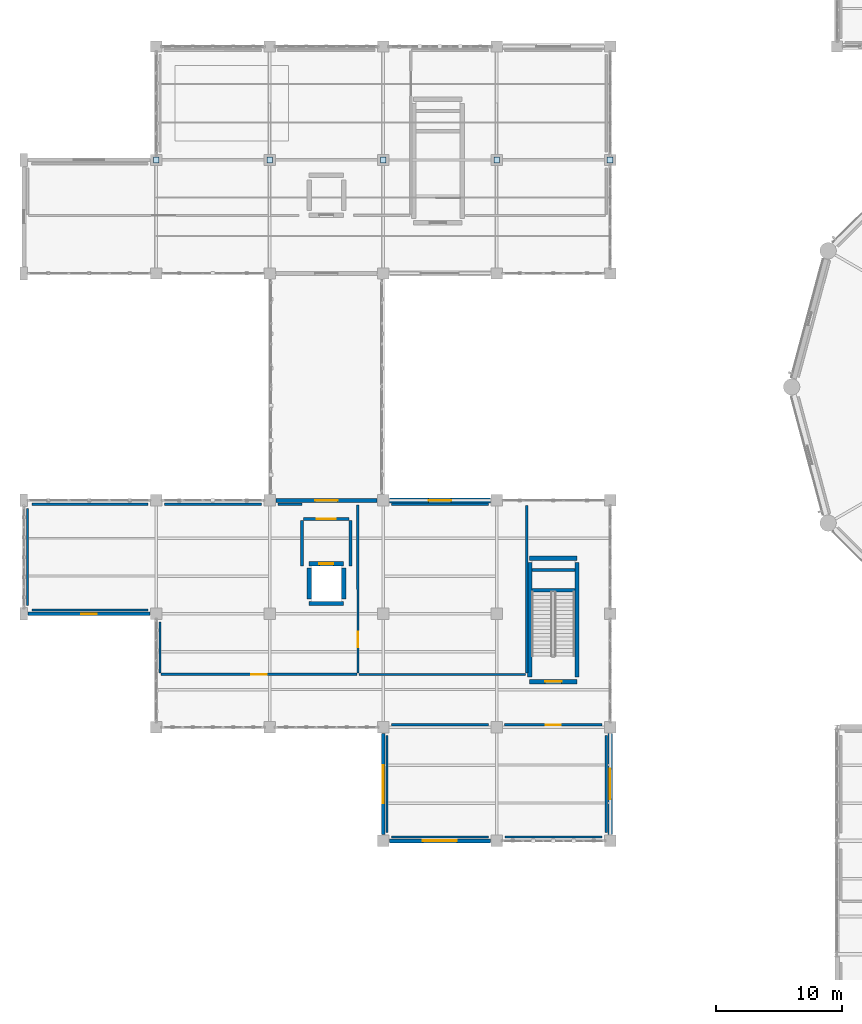
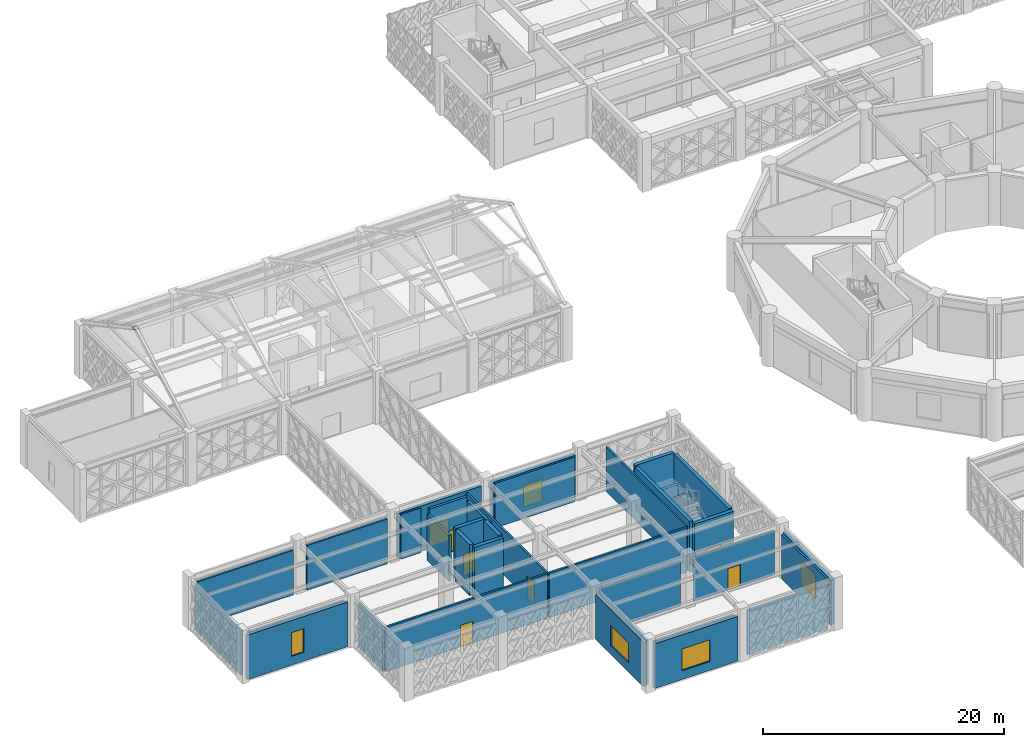
# One storey, part 139 of 166: 36 walls, 7 doors, 5 plates, 5 windows, 12 openings.
"""IFC4 building model written with IfcOpenShell, lengths in metres."""

from ifc_helpers import new_model, si_unit, direction, frame, frame_2d, origin, origin_2d, place, context, subcontext, project, spatial, rectangle, extrude, material, layer, layer_set, type_object, element, fill, save


model = new_model("IFC4")

# Units and contexts
model_context = context("Model", 3, precision=1e-05, world=origin(), true_north=direction((0.0, 1.0)))
body_context = subcontext(model_context, "Body", "Model", "MODEL_VIEW")
ifc_project = project(units=[si_unit("LENGTHUNIT", "METRE"), si_unit("AREAUNIT", "SQUARE_METRE"), si_unit("VOLUMEUNIT", "CUBIC_METRE"), si_unit("PLANEANGLEUNIT", "RADIAN"), si_unit("MASSUNIT", "GRAM", prefix="KILO")], contexts=[model_context])

# Site, building, storey
site_placement = place(None, origin())
site = spatial("IfcSite", under=ifc_project, at=site_placement, CompositionType="ELEMENT")
building_placement = place(site_placement, origin())
building = spatial("IfcBuilding", under=site, at=building_placement, Name="Haizhuo Lancet Aquarium", CompositionType="ELEMENT")
storey_placement = place(building_placement, frame((0.0, 0.0, 5.39990234375)))
storey = spatial("IfcBuildingStorey", under=building, at=storey_placement, Name="L01", CompositionType="ELEMENT", Elevation=5.39990234375)

# Plates
ifc_material_1 = material(Name="Steel S355", Category="steel")
ifc_layer_1 = layer(ifc_material_1, 0.01611328125)
ifc_layer_set_1 = layer_set([ifc_layer_1], Name="Steel S355")
plate_type_1 = type_object("IfcPlateType", Name="PLT-COV-16", PredefinedType="USERDEFINED", material=ifc_layer_set_1)
for number, where, z_axis, x_axis, name in (
    (1, (-63.0, 18.0, 10.2080078125), (0.0, 0.0, 1.0), (1.0, 0.0, 0.0), "V2 apex gusset connection plate 2"),
    (2, (-45.0, 18.0, 10.2080078125), (0.0, 0.0, 1.0), (1.0, 0.0, 0.0), "V2 apex gusset connection plate 4"),
):
    element("IfcPlate", number, at=place(storey_placement, frame(where, z_axis=z_axis, x_axis=x_axis)), inside=storey, type_object=plate_type_1, Name=name, ObjectType="COVER_PLATE", PredefinedType="USERDEFINED", context=body_context, shape_type="SweptSolid", body=[
        extrude(rectangle(XDim=0.449951171875, YDim=0.449951171875, at=origin_2d()), origin(), (0.0, 0.0, 1.0), 0.01611328125),
    ])
ifc_layer_2 = layer(ifc_material_1, 0.02001953125)
ifc_layer_set_2 = layer_set([ifc_layer_2], Name="Steel S355")
plate_type_2 = type_object("IfcPlateType", Name="PLT-STF-20", PredefinedType="USERDEFINED", material=ifc_layer_set_2)
for number, where, z_axis, x_axis, name in (
    (3, (-72.0, 18.0, 10.2060546875), (0.0, 0.0, 1.0), (1.0, 0.0, 0.0), "V2 apex gusset connection plate 1"),
    (4, (-54.0, 18.0, 10.2060546875), (0.0, 0.0, 1.0), (1.0, 0.0, 0.0), "V2 apex gusset connection plate 3"),
    (5, (-36.0, 18.0, 10.2060546875), (0.0, 0.0, 1.0), (1.0, 0.0, 0.0), "V2 apex gusset connection plate 5"),
):
    element("IfcPlate", number, at=place(storey_placement, frame(where, z_axis=z_axis, x_axis=x_axis)), inside=storey, type_object=plate_type_2, Name=name, ObjectType="STIFFENER_PLATE", PredefinedType="USERDEFINED", context=body_context, shape_type="SweptSolid", body=[
        extrude(rectangle(XDim=0.449951171875, YDim=0.449951171875, at=origin_2d()), origin(), (0.0, 0.0, 1.0), 0.02001953125),
    ])

# Wall, opening, window
ifc_material_2 = material(Name="Shandong Grey Limestone Ashlar", Category="masonry")
ifc_layer_3 = layer(ifc_material_2, 0.280029296875)
ifc_layer_set_3 = layer_set([ifc_layer_3], Name="Shandong Grey Limestone Ashlar")
wall_type_1 = type_object("IfcWallType", Name="EWL-ASH-280", PredefinedType="SOLIDWALL", material=ifc_layer_set_3)
wall_1_placement = place(storey_placement, frame((-72.4951171875, -18.0, 0.0), z_axis=(0.0, 0.0, 1.0), x_axis=(-1.0, 0.0, 0.0)))
wall_1 = element("IfcWall", 6, at=wall_1_placement, inside=storey, type_object=wall_type_1, Name="L01 V6 limestone facade wall 100", PredefinedType="SOLIDWALL", context=body_context, shape_type="SweptSolid", body=[
    extrude(rectangle(XDim=9.659912109375, YDim=0.280029296875, at=frame_2d((4.830078125, 0.0))), origin(), (0.0, 0.0, 1.0), 4.525146484375),
])
opening_1_placement = place(wall_1_placement, frame((4.22998046875, 0.0, 0.89990234375)))
opening_1 = element("IfcOpeningElement", 7, at=opening_1_placement, cuts=wall_1, Name="Opening WN-02", PredefinedType="OPENING", context=body_context, shape_type="SweptSolid", body=[
    extrude(rectangle(XDim=1.199951171875, YDim=2.39990234375, at=frame_2d((0.60009765625, 1.199951171875))), frame((0.0, 0.14990234375, 0.0), z_axis=(0.0, -1.0, 0.0), x_axis=(1.0, 0.0, 0.0)), (0.0, 0.0, 1.0), 0.300029),
])
ifc_material_3 = material(Name="Laminated Low-E Glass", Category="glass")
window_type_1 = type_object("IfcWindowType", Name="WIN-LAN-1200x2400", PartitioningType="SINGLE_PANEL", PredefinedType="WINDOW", material=ifc_material_3)
window_1_placement = place(opening_1_placement, origin())
window_1 = element("IfcWindow", 8, at=window_1_placement, inside=storey, type_object=window_type_1, Name="L01 V6 lancet window 76", OverallHeight=2.39990234375, OverallWidth=1.199951171875, PartitioningType="SINGLE_PANEL", PredefinedType="WINDOW", context=body_context, shape_type="SweptSolid", body=[
    extrude(rectangle(XDim=1.199951171875, YDim=2.39990234375, at=frame_2d((0.60009765625, 1.199951171875))), frame((0.0, 0.030029296875, 0.0), z_axis=(0.0, -1.0, 0.0), x_axis=(1.0, 0.0, 0.0)), (0.0, 0.0, 1.0), 0.06005859375),
])
fill(opening_1, window_1)

wall_2_placement = place(storey_placement, frame((-54.0, -35.5048828125, 0.0), z_axis=(0.0, 0.0, 1.0), x_axis=(0.0, 1.0, 0.0)))
wall_2 = element("IfcWall", 9, at=wall_2_placement, inside=storey, type_object=wall_type_1, Name="L01 V6 limestone facade wall 105", PredefinedType="SOLIDWALL", context=body_context, shape_type="SweptSolid", body=[
    extrude(rectangle(XDim=8.009765625, YDim=0.280029296875, at=frame_2d((4.0048828125, 0.0))), origin(), (0.0, 0.0, 1.0), 4.525146484375),
])
opening_2_placement = place(wall_2_placement, frame((2.5048828125, 0.0, 0.89990234375)))
opening_2 = element("IfcOpeningElement", 10, at=opening_2_placement, cuts=wall_2, Name="Opening WN-10", PredefinedType="OPENING", context=body_context, shape_type="SweptSolid", body=[
    extrude(rectangle(XDim=3.0, YDim=2.0, at=frame_2d((1.5, 1.0))), frame((0.0, 0.14990234375, 0.0), z_axis=(0.0, -1.0, 0.0), x_axis=(1.0, 0.0, 0.0)), (0.0, 0.0, 1.0), 0.300029),
])
window_type_2 = type_object("IfcWindowType", Name="WIN-LAN-3000x2000", PartitioningType="SINGLE_PANEL", PredefinedType="WINDOW", material=ifc_material_3)
window_2_placement = place(opening_2_placement, origin())
window_2 = element("IfcWindow", 11, at=window_2_placement, inside=storey, type_object=window_type_2, Name="L01 V6 lancet window 80", OverallHeight=2.0, OverallWidth=3.0, PartitioningType="SINGLE_PANEL", PredefinedType="WINDOW", context=body_context, shape_type="SweptSolid", body=[
    extrude(rectangle(XDim=3.0, YDim=2.0, at=frame_2d((1.5, 1.0))), frame((0.0, 0.030029296875, 0.0), z_axis=(0.0, -1.0, 0.0), x_axis=(1.0, 0.0, 0.0)), (0.0, 0.0, 1.0), 0.06005859375),
])
fill(opening_2, window_2)

# Wall, opening, door
ifc_layer_4 = layer(ifc_material_2, 0.320068359375)
ifc_layer_set_4 = layer_set([ifc_layer_4], Name="Shandong Grey Limestone Ashlar")
wall_type_2 = type_object("IfcWallType", Name="EWL-ASH-320", PredefinedType="SOLIDWALL", material=ifc_layer_set_4)
wall_3_placement = place(storey_placement, frame((-62.5048828125, -9.0, 0.0), z_axis=(0.0, 0.0, 1.0), x_axis=(1.0, 0.0, 0.0)))
wall_3 = element("IfcWall", 12, at=wall_3_placement, inside=storey, type_object=wall_type_2, Name="L01 V6 sky-bridge portal wall", PredefinedType="SOLIDWALL", context=body_context, shape_type="SweptSolid", body=[
    extrude(rectangle(XDim=8.009765625, YDim=0.320068359375, at=frame_2d((4.0048828125, 0.0))), origin(), (0.0, 0.0, 1.0), 4.525146484375),
])
opening_3_placement = place(wall_3_placement, frame((3.10498046875, 0.0, 0.0)))
opening_3 = element("IfcOpeningElement", 13, at=opening_3_placement, cuts=wall_3, Name="Opening EX-01", PredefinedType="OPENING", context=body_context, shape_type="SweptSolid", body=[
    extrude(rectangle(XDim=1.800048828125, YDim=2.199951171875, at=frame_2d((0.89990234375, 1.10009765625))), frame((0.0, 0.169921875, 0.0), z_axis=(0.0, -1.0, 0.0), x_axis=(1.0, 0.0, 0.0)), (0.0, 0.0, 1.0), 0.340068),
])
door_type_1 = type_object("IfcDoorType", Name="EDR-EXIT-1800x2200", OperationType="NOTDEFINED", PredefinedType="DOOR", material=ifc_material_1)
door_1_placement = place(opening_3_placement, origin())
door_1 = element("IfcDoor", 14, at=door_1_placement, inside=storey, type_object=door_type_1, Name="L01 V6 sky-bridge vestibule fire door", OperationType="DOUBLE_DOOR_SINGLE_SWING", OverallHeight=2.199951171875, OverallWidth=1.800048828125, PredefinedType="DOOR", context=body_context, shape_type="SweptSolid", body=[
    extrude(rectangle(XDim=1.800048828125, YDim=2.199951171875, at=frame_2d((0.89990234375, 1.10009765625))), frame((0.0, 0.02490234375, 0.0), z_axis=(0.0, -1.0, 0.0), x_axis=(1.0, 0.0, 0.0)), (0.0, 0.0, 1.0), 0.050048828125),
])
fill(opening_3, door_1)

# Wall, opening, window
wall_4_placement = place(storey_placement, frame((-45.4951171875, -36.0, 0.0), z_axis=(0.0, 0.0, 1.0), x_axis=(-1.0, 0.0, 0.0)))
wall_4 = element("IfcWall", 15, at=wall_4_placement, inside=storey, type_object=wall_type_2, Name="L01 V6 limestone facade wall 104", PredefinedType="SOLIDWALL", context=body_context, shape_type="SweptSolid", body=[
    extrude(rectangle(XDim=8.009765625, YDim=0.320068359375, at=frame_2d((4.0048828125, 0.0))), origin(), (0.0, 0.0, 1.0), 4.525146484375),
])
opening_4_placement = place(wall_4_placement, frame((2.655029296875, 0.0, 0.89990234375)))
opening_4 = element("IfcOpeningElement", 16, at=opening_4_placement, cuts=wall_4, Name="Opening WN-09", PredefinedType="OPENING", context=body_context, shape_type="SweptSolid", body=[
    extrude(rectangle(XDim=2.699951171875, YDim=2.199951171875, at=frame_2d((1.35009765625, 1.10009765625))), frame((0.0, 0.169921875, 0.0), z_axis=(0.0, -1.0, 0.0), x_axis=(1.0, 0.0, 0.0)), (0.0, 0.0, 1.0), 0.340068),
])
window_type_3 = type_object("IfcWindowType", Name="WIN-LAN-2700x2200", PartitioningType="SINGLE_PANEL", PredefinedType="WINDOW", material=ifc_material_3)
window_3_placement = place(opening_4_placement, origin())
window_3 = element("IfcWindow", 17, at=window_3_placement, inside=storey, type_object=window_type_3, Name="L01 V6 lancet window 79", OverallHeight=2.199951171875, OverallWidth=2.699951171875, PartitioningType="SINGLE_PANEL", PredefinedType="WINDOW", context=body_context, shape_type="SweptSolid", body=[
    extrude(rectangle(XDim=2.699951171875, YDim=2.199951171875, at=frame_2d((1.35009765625, 1.10009765625))), frame((0.0, 0.030029296875, 0.0), z_axis=(0.0, -1.0, 0.0), x_axis=(1.0, 0.0, 0.0)), (0.0, 0.0, 1.0), 0.06005859375),
])
fill(opening_4, window_3)

ifc_layer_5 = layer(ifc_material_2, 0.360107421875)
ifc_layer_set_5 = layer_set([ifc_layer_5], Name="Shandong Grey Limestone Ashlar")
wall_type_3 = type_object("IfcWallType", Name="EWL-ASH-360", PredefinedType="SOLIDWALL", material=ifc_layer_set_5)
wall_5_placement = place(storey_placement, frame((-36.0, -27.4951171875, 0.0), z_axis=(0.0, 0.0, 1.0), x_axis=(0.0, -1.0, 0.0)))
wall_5 = element("IfcWall", 18, at=wall_5_placement, inside=storey, type_object=wall_type_3, Name="L01 V6 limestone facade wall 103", PredefinedType="SOLIDWALL", context=body_context, shape_type="SweptSolid", body=[
    extrude(rectangle(XDim=8.009765625, YDim=0.360107421875, at=frame_2d((4.0048828125, 0.0))), origin(), (0.0, 0.0, 1.0), 4.525146484375),
])
opening_5_placement = place(wall_5_placement, frame((2.804931640625, 0.0, 0.89990234375)))
opening_5 = element("IfcOpeningElement", 19, at=opening_5_placement, cuts=wall_5, Name="Opening WN-08", PredefinedType="OPENING", context=body_context, shape_type="SweptSolid", body=[
    extrude(rectangle(XDim=2.39990234375, YDim=2.39990234375, at=frame_2d((1.199951171875, 1.199951171875))), frame((0.0, 0.18994140625, 0.0), z_axis=(0.0, -1.0, 0.0), x_axis=(1.0, 0.0, 0.0)), (0.0, 0.0, 1.0), 0.380107),
])
window_type_4 = type_object("IfcWindowType", Name="WIN-LAN-2400x2400", PartitioningType="SINGLE_PANEL", PredefinedType="WINDOW", material=ifc_material_3)
window_4_placement = place(opening_5_placement, origin())
window_4 = element("IfcWindow", 20, at=window_4_placement, inside=storey, type_object=window_type_4, Name="L01 V6 lancet window 78", OverallHeight=2.39990234375, OverallWidth=2.39990234375, PartitioningType="SINGLE_PANEL", PredefinedType="WINDOW", context=body_context, shape_type="SweptSolid", body=[
    extrude(rectangle(XDim=2.39990234375, YDim=2.39990234375, at=frame_2d((1.199951171875, 1.199951171875))), frame((0.0, 0.030029296875, 0.0), z_axis=(0.0, -1.0, 0.0), x_axis=(1.0, 0.0, 0.0)), (0.0, 0.0, 1.0), 0.06005859375),
])
fill(opening_5, window_4)

ifc_layer_6 = layer(ifc_material_2, 0.39990234375)
ifc_layer_set_6 = layer_set([ifc_layer_6], Name="Shandong Grey Limestone Ashlar")
wall_type_4 = type_object("IfcWallType", Name="EWL-ASH-400", PredefinedType="SOLIDWALL", material=ifc_layer_set_6)
wall_6_placement = place(storey_placement, frame((-53.5048828125, -9.0, 0.0), z_axis=(0.0, 0.0, 1.0), x_axis=(1.0, 0.0, 0.0)))
wall_6 = element("IfcWall", 21, at=wall_6_placement, inside=storey, type_object=wall_type_4, Name="L01 V6 limestone facade wall 102", PredefinedType="SOLIDWALL", context=body_context, shape_type="SweptSolid", body=[
    extrude(rectangle(XDim=8.009765625, YDim=0.39990234375, at=frame_2d((4.0048828125, 0.0))), origin(), (0.0, 0.0, 1.0), 4.525146484375),
])
opening_6_placement = place(wall_6_placement, frame((3.10498046875, 0.0, 0.89990234375)))
opening_6 = element("IfcOpeningElement", 22, at=opening_6_placement, cuts=wall_6, Name="Opening WN-06", PredefinedType="OPENING", context=body_context, shape_type="SweptSolid", body=[
    extrude(rectangle(XDim=1.800048828125, YDim=2.199951171875, at=frame_2d((0.89990234375, 1.10009765625))), frame((0.0, 0.2099609375, 0.0), z_axis=(0.0, -1.0, 0.0), x_axis=(1.0, 0.0, 0.0)), (0.0, 0.0, 1.0), 0.419902),
])
window_type_5 = type_object("IfcWindowType", Name="WIN-LAN-1800x2200", PartitioningType="SINGLE_PANEL", PredefinedType="WINDOW", material=ifc_material_3)
window_5_placement = place(opening_6_placement, origin())
window_5 = element("IfcWindow", 23, at=window_5_placement, inside=storey, type_object=window_type_5, Name="L01 V6 lancet window 77", OverallHeight=2.199951171875, OverallWidth=1.800048828125, PartitioningType="SINGLE_PANEL", PredefinedType="WINDOW", context=body_context, shape_type="SweptSolid", body=[
    extrude(rectangle(XDim=1.800048828125, YDim=2.199951171875, at=frame_2d((0.89990234375, 1.10009765625))), frame((0.0, 0.030029296875, 0.0), z_axis=(0.0, -1.0, 0.0), x_axis=(1.0, 0.0, 0.0)), (0.0, 0.0, 1.0), 0.06005859375),
])
fill(opening_6, window_5)

# Wall, opening, door
ifc_material_4 = material(Name="Concrete C40/50", Category="concrete")
ifc_layer_7 = layer(ifc_material_4, 0.239990234375)
ifc_layer_set_7 = layer_set([ifc_layer_7], Name="Concrete C40/50")
wall_type_5 = type_object("IfcWallType", Name="IWL-FIRE-240", PredefinedType="PARTITIONING", material=ifc_layer_set_7)
wall_7_placement = place(storey_placement, frame((-56.699951171875, -10.47998046875, 0.0), z_axis=(0.0, 0.0, 1.0), x_axis=(-1.0, 0.0, 0.0)))
wall_7 = element("IfcWall", 24, at=wall_7_placement, inside=storey, type_object=wall_type_5, Name="L01 LF-03 firefighting lift lobby firewall N", PredefinedType="PARTITIONING", context=body_context, shape_type="SweptSolid", body=[
    extrude(rectangle(XDim=3.60009765625, YDim=0.239990234375, at=frame_2d((1.800048828125, 0.0))), origin(), (0.0, 0.0, 1.0), 5.10009765625),
])
opening_7_placement = place(wall_7_placement, frame((1.050048828125, 0.0, 0.0)))
opening_7 = element("IfcOpeningElement", 25, at=opening_7_placement, cuts=wall_7, Name="Opening FD-03", PredefinedType="OPENING", context=body_context, shape_type="SweptSolid", body=[
    extrude(rectangle(XDim=1.5, YDim=2.199951171875, at=frame_2d((0.75, 1.10009765625))), frame((0.0, 0.1298828125, 0.0), z_axis=(0.0, -1.0, 0.0), x_axis=(1.0, 0.0, 0.0)), (0.0, 0.0, 1.0), 0.25999),
])
door_type_2 = type_object("IfcDoorType", Name="IDR-FFL-1500x2200", OperationType="NOTDEFINED", PredefinedType="DOOR", material=ifc_material_1)
door_2_placement = place(opening_7_placement, origin())
door_2 = element("IfcDoor", 26, at=door_2_placement, inside=storey, type_object=door_type_2, Name="L01 LF-03 firefighting lift lobby door", OperationType="SINGLE_SWING_LEFT", OverallHeight=2.199951171875, OverallWidth=1.5, PredefinedType="DOOR", context=body_context, shape_type="SweptSolid", body=[
    extrude(rectangle(XDim=1.5, YDim=2.199951171875, at=frame_2d((0.75, 1.10009765625))), frame((0.0, 0.02490234375, 0.0), z_axis=(0.0, -1.0, 0.0), x_axis=(1.0, 0.0, 0.0)), (0.0, 0.0, 1.0), 0.050048828125),
])
fill(opening_7, door_2)

# Walls
for number, where, z_axis, x_axis, name in (
    (27, (-60.419921875, -14.199951171875, 0.0), (0.0, 0.0, 1.0), (0.0, 1.0, 0.0), "L01 LF-03 firefighting lift lobby firewall W"),
    (28, (-56.580078125, -14.199951171875, 0.0), (0.0, 0.0, 1.0), (0.0, 1.0, 0.0), "L01 LF-03 firefighting lift lobby firewall E"),
):
    element("IfcWall", number, at=place(storey_placement, frame(where, z_axis=z_axis, x_axis=x_axis)), inside=storey, type_object=wall_type_5, Name=name, PredefinedType="PARTITIONING", context=body_context, shape_type="SweptSolid", body=[
        extrude(rectangle(XDim=3.599853515625, YDim=0.239990234375, at=frame_2d((1.7998046875, 0.0))), origin(), (0.0, 0.0, 1.0), 4.675048828125),
    ])
ifc_layer_8 = layer(ifc_material_4, 0.179931640625)
ifc_layer_set_8 = layer_set([ifc_layer_8], Name="Concrete C40/50")
wall_type_6 = type_object("IfcWallType", Name="IWL-LAB-180", PredefinedType="PARTITIONING", material=ifc_layer_set_8)
wall_8_placement = place(storey_placement, frame((-81.85009765625, -17.699951171875, 0.0), z_axis=(0.0, 0.0, 1.0), x_axis=(1.0, 0.0, 0.0)))
element("IfcWall", 29, at=wall_8_placement, inside=storey, type_object=wall_type_6, Name="L01 partition wall 306", PredefinedType="PARTITIONING", context=body_context, shape_type="SweptSolid", body=[
    extrude(rectangle(XDim=9.2001953125, YDim=0.179931640625, at=frame_2d((4.60009765625, 0.0))), origin(), (0.0, 0.0, 1.0), 4.525146484375),
])
wall_9_placement = place(storey_placement, frame((-71.699951171875, -18.64990234375, 0.0), z_axis=(0.0, 0.0, 1.0), x_axis=(0.0, -1.0, 0.0)))
element("IfcWall", 30, at=wall_9_placement, inside=storey, type_object=wall_type_6, Name="L01 partition wall 307", PredefinedType="PARTITIONING", context=body_context, shape_type="SweptSolid", body=[
    extrude(rectangle(XDim=4.050048828125, YDim=0.179931640625, at=frame_2d((2.02490234375, 0.0))), origin(), (0.0, 0.0, 1.0), 4.525146484375),
])

# Wall, opening, door
wall_10_placement = place(storey_placement, frame((-71.6201171875, -22.798095703125, 0.0), z_axis=(0.0, 0.0, 1.0), x_axis=(0.999999990016, 0.000141311685, 0.0)))
wall_10 = element("IfcWall", 31, at=wall_10_placement, inside=storey, type_object=wall_type_6, Name="L01 partition wall 308", PredefinedType="PARTITIONING", context=body_context, shape_type="SweptSolid", body=[
    extrude(rectangle(XDim=15.549072265625, YDim=0.179931640625, at=frame_2d((7.7744140625, 0.0))), origin(), (0.0, 0.0, 1.0), 4.525146484375),
])
opening_8_placement = place(wall_10_placement, frame((7.175048828125, 0.0, 0.0)))
opening_8 = element("IfcOpeningElement", 32, at=opening_8_placement, cuts=wall_10, Name="Opening D-04", PredefinedType="OPENING", context=body_context, shape_type="SweptSolid", body=[
    extrude(rectangle(XDim=1.199951171875, YDim=2.199951171875, at=frame_2d((0.60009765625, 1.10009765625))), frame((0.0, 0.099853515625, 0.0), z_axis=(0.0, -1.0, 0.0), x_axis=(1.0, 0.0, 0.0)), (0.0, 0.0, 1.0), 0.199932),
])
door_type_3 = type_object("IfcDoorType", Name="IDR-LAB-1200x2200", OperationType="NOTDEFINED", PredefinedType="DOOR", material=ifc_material_1)
door_3_placement = place(opening_8_placement, origin())
door_3 = element("IfcDoor", 33, at=door_3_placement, inside=storey, type_object=door_type_3, Name="L01 Wet Marine Research Laboratory door", OperationType="SINGLE_SWING_LEFT", OverallHeight=2.199951171875, OverallWidth=1.199951171875, PredefinedType="DOOR", context=body_context, shape_type="SweptSolid", body=[
    extrude(rectangle(XDim=1.199951171875, YDim=2.199951171875, at=frame_2d((0.60009765625, 1.10009765625))), frame((0.0, 0.02490234375, 0.0), z_axis=(0.0, -1.0, 0.0), x_axis=(1.0, 0.0, 0.0)), (0.0, 0.0, 1.0), 0.050048828125),
])
fill(opening_8, door_3)

wall_11_placement = place(storey_placement, frame((-56.0, -22.699951171875, 0.0), z_axis=(0.0, 0.0, 1.0), x_axis=(-0.000293067118, 0.999999957056, 0.0)))
wall_11 = element("IfcWall", 34, at=wall_11_placement, inside=storey, type_object=wall_type_6, Name="L01 partition wall 309", PredefinedType="PARTITIONING", context=body_context, shape_type="SweptSolid", body=[
    extrude(rectangle(XDim=13.328857421875, YDim=0.179931640625, at=frame_2d((6.66455078125, 0.0))), origin(), (0.0, 0.0, 1.0), 4.525146484375),
])
opening_9_placement = place(wall_11_placement, frame((2.06591796875, 0.0, 0.0)))
opening_9 = element("IfcOpeningElement", 35, at=opening_9_placement, cuts=wall_11, Name="Opening D-04", PredefinedType="OPENING", context=body_context, shape_type="SweptSolid", body=[
    extrude(rectangle(XDim=1.199951171875, YDim=2.199951171875, at=frame_2d((0.60009765625, 1.10009765625))), frame((0.0, 0.099853515625, 0.0), z_axis=(0.0, -1.0, 0.0), x_axis=(1.0, 0.0, 0.0)), (0.0, 0.0, 1.0), 0.199932),
])
door_4_placement = place(opening_9_placement, origin())
door_4 = element("IfcDoor", 36, at=door_4_placement, inside=storey, type_object=door_type_3, Name="L01 Plankton Culture Research Laboratory door", OperationType="SINGLE_SWING_RIGHT", OverallHeight=2.199951171875, OverallWidth=1.199951171875, PredefinedType="DOOR", context=body_context, shape_type="SweptSolid", body=[
    extrude(rectangle(XDim=1.199951171875, YDim=2.199951171875, at=frame_2d((0.60009765625, 1.10009765625))), frame((0.0, 0.02490234375, 0.0), z_axis=(0.0, -1.0, 0.0), x_axis=(1.0, 0.0, 0.0)), (0.0, 0.0, 1.0), 0.050048828125),
])
fill(opening_9, door_4)

# Walls
wall_12_placement = place(storey_placement, frame((-60.449951171875, -9.300048828125, 0.0), z_axis=(0.0, 0.0, 1.0), x_axis=(-1.0, 0.0, 0.0)))
element("IfcWall", 37, at=wall_12_placement, inside=storey, type_object=wall_type_6, Name="L01 partition wall 310", PredefinedType="PARTITIONING", context=body_context, shape_type="SweptSolid", body=[
    extrude(rectangle(XDim=1.900146484375, YDim=0.179931640625, at=frame_2d((0.9501953125, 0.0))), origin(), (0.0, 0.0, 1.0), 4.525146484375),
])
wall_13_placement = place(storey_placement, frame((-63.64990234375, -9.300048828125, 0.0), z_axis=(0.0, 0.0, 1.0), x_axis=(-1.0, 0.0, 0.0)))
element("IfcWall", 38, at=wall_13_placement, inside=storey, type_object=wall_type_6, Name="L01 partition wall 311", PredefinedType="PARTITIONING", context=body_context, shape_type="SweptSolid", body=[
    extrude(rectangle(XDim=7.7001953125, YDim=0.179931640625, at=frame_2d((3.85009765625, 0.0))), origin(), (0.0, 0.0, 1.0), 4.525146484375),
])
wall_14_placement = place(storey_placement, frame((-72.64990234375, -9.300048828125, 0.0), z_axis=(0.0, 0.0, 1.0), x_axis=(-0.99999991006, -0.000424121897, 0.0)))
element("IfcWall", 39, at=wall_14_placement, inside=storey, type_object=wall_type_6, Name="L01 partition wall 312", PredefinedType="PARTITIONING", context=body_context, shape_type="SweptSolid", body=[
    extrude(rectangle(XDim=9.210205078125, YDim=0.179931640625, at=frame_2d((4.60498046875, 0.0))), origin(), (0.0, 0.0, 1.0), 4.525146484375),
])
wall_15_placement = place(storey_placement, frame((-82.199951171875, -9.64990234375, 0.0), z_axis=(0.0, 0.0, 1.0), x_axis=(0.0, -1.0, 0.0)))
element("IfcWall", 40, at=wall_15_placement, inside=storey, type_object=wall_type_6, Name="L01 partition wall 313", PredefinedType="PARTITIONING", context=body_context, shape_type="SweptSolid", body=[
    extrude(rectangle(XDim=7.7001953125, YDim=0.179931640625, at=frame_2d((3.85009765625, 0.0))), origin(), (0.0, 0.0, 1.0), 4.525146484375),
])
wall_16_placement = place(storey_placement, frame((-55.89990234375, -22.800048828125, 0.0), z_axis=(0.0, 0.0, 1.0), x_axis=(1.0, 0.0, 0.0)))
element("IfcWall", 41, at=wall_16_placement, inside=storey, type_object=wall_type_6, Name="L01 partition wall 314", PredefinedType="PARTITIONING", context=body_context, shape_type="SweptSolid", body=[
    extrude(rectangle(XDim=13.199951171875, YDim=0.179931640625, at=frame_2d((6.60009765625, 0.0))), origin(), (0.0, 0.0, 1.0), 4.525146484375),
])
wall_17_placement = place(storey_placement, frame((-42.60009765625, -22.699951171875, 0.0), z_axis=(0.0, 0.0, 1.0), x_axis=(0.0, 1.0, 0.0)))
element("IfcWall", 42, at=wall_17_placement, inside=storey, type_object=wall_type_6, Name="L01 partition wall 315", PredefinedType="PARTITIONING", context=body_context, shape_type="SweptSolid", body=[
    extrude(rectangle(XDim=13.300048828125, YDim=0.179931640625, at=frame_2d((6.64990234375, 0.0))), origin(), (0.0, 0.0, 1.0), 4.525146484375),
])
for number, where, z_axis, x_axis, name in (
    (43, (-45.64990234375, -9.300048828125, 0.0), (0.0, 0.0, 1.0), (-1.0, 0.0, 0.0), "L01 partition wall 316"),
    (44, (-53.35009765625, -35.699951171875, 0.0), (0.0, 0.0, 1.0), (1.0, 0.0, 0.0), "L01 partition wall 317"),
    (45, (-44.35009765625, -35.699951171875, 0.0), (0.0, 0.0, 1.0), (1.0, 0.0, 0.0), "L01 partition wall 318"),
    (46, (-36.300048828125, -35.35009765625, 0.0), (0.0, 0.0, 1.0), (0.0, 1.0, 0.0), "L01 partition wall 319"),
):
    element("IfcWall", number, at=place(storey_placement, frame(where, z_axis=z_axis, x_axis=x_axis)), inside=storey, type_object=wall_type_6, Name=name, PredefinedType="PARTITIONING", context=body_context, shape_type="SweptSolid", body=[
        extrude(rectangle(XDim=7.7001953125, YDim=0.179931640625, at=frame_2d((3.85009765625, 0.0))), origin(), (0.0, 0.0, 1.0), 4.525146484375),
    ])

# Wall, opening, door
wall_18_placement = place(storey_placement, frame((-36.64990234375, -26.800048828125, 0.0), z_axis=(0.0, 0.0, 1.0), x_axis=(-1.0, 0.0, 0.0)))
wall_18 = element("IfcWall", 47, at=wall_18_placement, inside=storey, type_object=wall_type_6, Name="L01 partition wall 320", PredefinedType="PARTITIONING", context=body_context, shape_type="SweptSolid", body=[
    extrude(rectangle(XDim=7.710205078125, YDim=0.179931640625, at=frame_2d((3.85498046875, 0.0))), origin(), (0.0, 0.0, 1.0), 4.525146484375),
])
opening_10_placement = place(wall_18_placement, frame((3.2548828125, 0.0, 0.0)))
opening_10 = element("IfcOpeningElement", 48, at=opening_10_placement, cuts=wall_18, Name="Opening D-04", PredefinedType="OPENING", context=body_context, shape_type="SweptSolid", body=[
    extrude(rectangle(XDim=1.199951171875, YDim=2.199951171875, at=frame_2d((0.60009765625, 1.10009765625))), frame((0.0, 0.099853515625, 0.0), z_axis=(0.0, -1.0, 0.0), x_axis=(1.0, 0.0, 0.0)), (0.0, 0.0, 1.0), 0.199932),
])
door_5_placement = place(opening_10_placement, origin())
door_5 = element("IfcDoor", 49, at=door_5_placement, inside=storey, type_object=door_type_3, Name="L01 Benthic Ecology Laboratory door", OperationType="SINGLE_SWING_LEFT", OverallHeight=2.199951171875, OverallWidth=1.199951171875, PredefinedType="DOOR", context=body_context, shape_type="SweptSolid", body=[
    extrude(rectangle(XDim=1.199951171875, YDim=2.199951171875, at=frame_2d((0.60009765625, 1.10009765625))), frame((0.0, 0.02490234375, 0.0), z_axis=(0.0, -1.0, 0.0), x_axis=(1.0, 0.0, 0.0)), (0.0, 0.0, 1.0), 0.050048828125),
])
fill(opening_10, door_5)

# Walls
wall_19_placement = place(storey_placement, frame((-45.639892578125, -26.800048828125, 0.0), z_axis=(0.0, 0.0, 1.0), x_axis=(-1.0, 0.0, 0.0)))
element("IfcWall", 50, at=wall_19_placement, inside=storey, type_object=wall_type_6, Name="L01 partition wall 321", PredefinedType="PARTITIONING", context=body_context, shape_type="SweptSolid", body=[
    extrude(rectangle(XDim=7.710205078125, YDim=0.179931640625, at=frame_2d((3.85498046875, 0.0))), origin(), (0.0, 0.0, 1.0), 4.525146484375),
])
wall_20_placement = place(storey_placement, frame((-53.699951171875, -27.64990234375, 0.0), z_axis=(0.0, 0.0, 1.0), x_axis=(0.0, -1.0, 0.0)))
element("IfcWall", 51, at=wall_20_placement, inside=storey, type_object=wall_type_6, Name="L01 partition wall 322", PredefinedType="PARTITIONING", context=body_context, shape_type="SweptSolid", body=[
    extrude(rectangle(XDim=7.7001953125, YDim=0.179931640625, at=frame_2d((3.85009765625, 0.0))), origin(), (0.0, 0.0, 1.0), 4.525146484375),
])
ifc_layer_9 = layer(ifc_material_4, 0.35009765625)
ifc_layer_set_9 = layer_set([ifc_layer_9], Name="Concrete C40/50")
wall_type_7 = type_object("IfcWallType", Name="WL-CORE-350", PredefinedType="SHEAR", material=ifc_layer_set_9)
for number, where, z_axis, x_axis, name in (
    (52, (-42.199951171875, -16.125, 0.0), (0.0, 0.0, 1.0), (1.0, 0.0, 0.0), "L01 ST-09 landing support wall"),
    (53, (-42.199951171875, -14.52490234375, 0.0), (0.0, 0.0, 1.0), (1.0, 0.0, 0.0), "L01 ST-09 far landing support wall"),
):
    element("IfcWall", number, at=place(storey_placement, frame(where, z_axis=z_axis, x_axis=x_axis)), inside=storey, type_object=wall_type_7, Name=name, PredefinedType="SHEAR", context=body_context, shape_type="SweptSolid", body=[
        extrude(rectangle(XDim=3.39990234375, YDim=0.25, at=frame_2d((1.699951171875, 0.0))), origin(), (0.0, 0.0, 1.0), 2.5),
    ])

# Wall, opening, door
wall_21_placement = place(storey_placement, frame((-42.375, -23.375, 0.0), z_axis=(0.0, 0.0, 1.0), x_axis=(1.0, 0.0, 0.0)))
wall_21 = element("IfcWall", 54, at=wall_21_placement, inside=storey, type_object=wall_type_7, Name="L01 ST-09 core shear wall S", PredefinedType="SHEAR", context=body_context, shape_type="SweptSolid", body=[
    extrude(rectangle(XDim=3.75, YDim=0.35009765625, at=frame_2d((1.875, 0.0))), origin(), (0.0, 0.0, 1.0), 5.150146484375),
])
opening_11_placement = place(wall_21_placement, frame((1.22509765625, 0.0, 0.0)))
opening_11 = element("IfcOpeningElement", 55, at=opening_11_placement, cuts=wall_21, Name="Opening FD-02", PredefinedType="OPENING", context=body_context, shape_type="SweptSolid", body=[
    extrude(rectangle(XDim=1.300048828125, YDim=2.199951171875, at=frame_2d((0.64990234375, 1.10009765625))), frame((0.0, 0.18505859375, 0.0), z_axis=(0.0, -1.0, 0.0), x_axis=(1.0, 0.0, 0.0)), (0.0, 0.0, 1.0), 0.370098),
])
door_type_4 = type_object("IfcDoorType", Name="IDR-STAIR-1300x2200", OperationType="NOTDEFINED", PredefinedType="DOOR", material=ifc_material_1)
door_6_placement = place(opening_11_placement, origin())
door_6 = element("IfcDoor", 56, at=door_6_placement, inside=storey, type_object=door_type_4, Name="L01 ST-09 stairwell fire door", OperationType="SINGLE_SWING_LEFT", OverallHeight=2.199951171875, OverallWidth=1.300048828125, PredefinedType="DOOR", context=body_context, shape_type="SweptSolid", body=[
    extrude(rectangle(XDim=1.300048828125, YDim=2.199951171875, at=frame_2d((0.64990234375, 1.10009765625))), frame((0.0, 0.02490234375, 0.0), z_axis=(0.0, -1.0, 0.0), x_axis=(1.0, 0.0, 0.0)), (0.0, 0.0, 1.0), 0.050048828125),
])
fill(opening_11, door_6)

# Walls
wall_22_placement = place(storey_placement, frame((-42.375, -13.574951171875, 0.0), z_axis=(0.0, 0.0, 1.0), x_axis=(1.0, 0.0, 0.0)))
element("IfcWall", 57, at=wall_22_placement, inside=storey, type_object=wall_type_7, Name="L01 ST-09 core shear wall N", PredefinedType="SHEAR", context=body_context, shape_type="SweptSolid", body=[
    extrude(rectangle(XDim=3.75, YDim=0.35009765625, at=frame_2d((1.875, 0.0))), origin(), (0.0, 0.0, 1.0), 5.150146484375),
])
for number, where, z_axis, x_axis, name in (
    (58, (-42.375, -23.02490234375, 0.0), (0.0, 0.0, 1.0), (0.0, 1.0, 0.0), "L01 ST-09 core shear wall W"),
    (59, (-38.625, -23.02490234375, 0.0), (0.0, 0.0, 1.0), (0.0, 1.0, 0.0), "L01 ST-09 core shear wall E"),
):
    element("IfcWall", number, at=place(storey_placement, frame(where, z_axis=z_axis, x_axis=x_axis)), inside=storey, type_object=wall_type_7, Name=name, PredefinedType="SHEAR", context=body_context, shape_type="SweptSolid", body=[
        extrude(rectangle(XDim=9.099853515625, YDim=0.35009765625, at=frame_2d((4.5498046875, 0.0))), origin(), (0.0, 0.0, 1.0), 5.150146484375),
    ])
wall_23_placement = place(storey_placement, frame((-59.875, -17.175048828125, 0.0), z_axis=(0.0, 0.0, 1.0), x_axis=(1.0, 0.0, 0.0)))
element("IfcWall", 60, at=wall_23_placement, inside=storey, type_object=wall_type_7, Name="L01 LF-03 lift shaft wall -Y", PredefinedType="SHEAR", context=body_context, shape_type="SweptSolid", body=[
    extrude(rectangle(XDim=2.75, YDim=0.35009765625, at=frame_2d((1.375, 0.0))), origin(), (0.0, 0.0, 1.0), 5.150146484375),
])

# Wall, opening, door
wall_24_placement = place(storey_placement, frame((-57.125, -14.02490234375, 0.0), z_axis=(0.0, 0.0, 1.0), x_axis=(-1.0, 0.0, 0.0)))
wall_24 = element("IfcWall", 61, at=wall_24_placement, inside=storey, type_object=wall_type_7, Name="L01 LF-03 lift shaft wall +Y", PredefinedType="SHEAR", context=body_context, shape_type="SweptSolid", body=[
    extrude(rectangle(XDim=2.75, YDim=0.35009765625, at=frame_2d((1.375, 0.0))), origin(), (0.0, 0.0, 1.0), 5.150146484375),
])
opening_12_placement = place(wall_24_placement, frame((0.824951171875, 0.0, 0.0)))
opening_12 = element("IfcOpeningElement", 62, at=opening_12_placement, cuts=wall_24, Name="Opening LD-01", PredefinedType="OPENING", context=body_context, shape_type="SweptSolid", body=[
    extrude(rectangle(XDim=1.10009765625, YDim=2.199951171875, at=frame_2d((0.550048828125, 1.10009765625))), frame((0.0, 0.18505859375, 0.0), z_axis=(0.0, -1.0, 0.0), x_axis=(1.0, 0.0, 0.0)), (0.0, 0.0, 1.0), 0.370098),
])
door_type_5 = type_object("IfcDoorType", Name="IDR-LIFT-1100x2200", OperationType="NOTDEFINED", PredefinedType="DOOR", material=ifc_material_1)
door_7_placement = place(opening_12_placement, origin())
door_7 = element("IfcDoor", 63, at=door_7_placement, inside=storey, type_object=door_type_5, Name="L01 LF-03 sliding lift landing door", OperationType="DOUBLE_DOOR_SLIDING", OverallHeight=2.199951171875, OverallWidth=1.10009765625, PredefinedType="DOOR", context=body_context, shape_type="SweptSolid", body=[
    extrude(rectangle(XDim=1.10009765625, YDim=2.199951171875, at=frame_2d((0.550048828125, 1.10009765625))), frame((0.0, 0.02490234375, 0.0), z_axis=(0.0, -1.0, 0.0), x_axis=(1.0, 0.0, 0.0)), (0.0, 0.0, 1.0), 0.050048828125),
])
fill(opening_12, door_7)

# Walls
for number, where, z_axis, x_axis, name in (
    (64, (-59.875, -16.824951171875, 0.0), (0.0, 0.0, 1.0), (0.0, 1.0, 0.0), "L01 LF-03 lift shaft wall -X"),
    (65, (-57.125, -16.824951171875, 0.0), (0.0, 0.0, 1.0), (0.0, 1.0, 0.0), "L01 LF-03 lift shaft wall +X"),
):
    element("IfcWall", number, at=place(storey_placement, frame(where, z_axis=z_axis, x_axis=x_axis)), inside=storey, type_object=wall_type_7, Name=name, PredefinedType="SHEAR", context=body_context, shape_type="SweptSolid", body=[
        extrude(rectangle(XDim=2.449951171875, YDim=0.35009765625, at=frame_2d((1.22509765625, 0.0))), origin(), (0.0, 0.0, 1.0), 5.150146484375),
    ])

save(model, "model.ifc")
